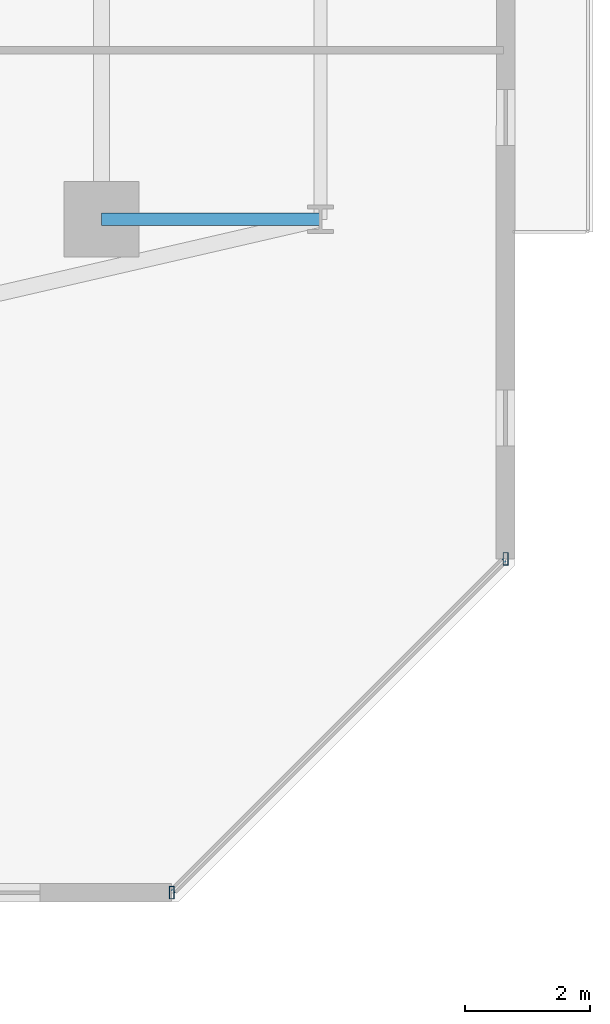
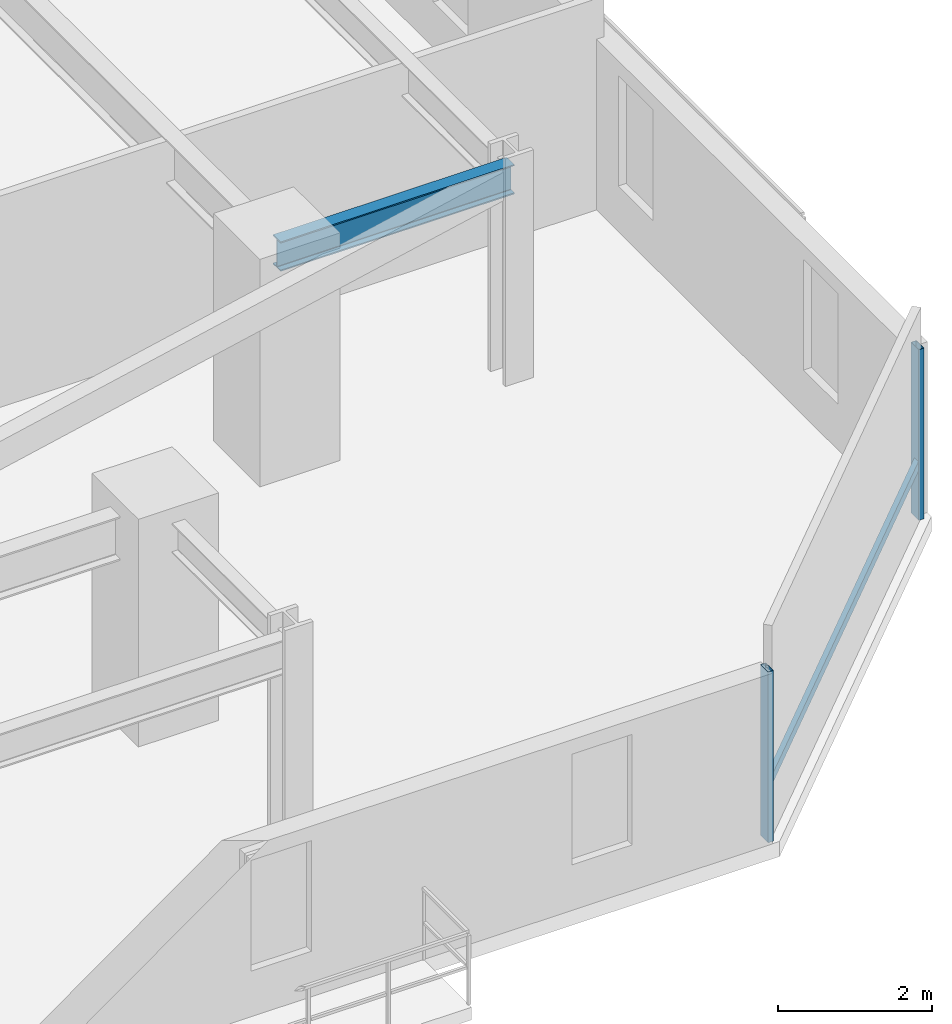
# One storey, part 12 of 33: 3 members, 1 beam, 1 element without a shape of its own.
"""IFC4 building model written with IfcOpenShell, lengths in metres."""

from ifc_helpers import new_model, si_unit, direction, frame, origin, origin_2d, place, context, subcontext, project, spatial, hollow_rectangle, i_section, extrude, material, material_profile, profile_set, type_object, element, aggregate, save


model = new_model("IFC4")

# Units and contexts
model_context = context("Model", 3, precision=1e-05, world=origin(), true_north=direction((0.0, 1.0)))
body_context = subcontext(model_context, "Body", "Model", "MODEL_VIEW")
ifc_project = project(units=[si_unit("LENGTHUNIT", "METRE"), si_unit("AREAUNIT", "SQUARE_METRE"), si_unit("VOLUMEUNIT", "CUBIC_METRE"), si_unit("PLANEANGLEUNIT", "RADIAN"), si_unit("MASSUNIT", "GRAM", prefix="KILO")], contexts=[model_context])

# Site, building, storey
site_placement = place(None, origin())
site = spatial("IfcSite", under=ifc_project, at=site_placement, CompositionType="ELEMENT")
building_placement = place(site_placement, origin())
building = spatial("IfcBuilding", under=site, at=building_placement, Name="Thornwick Lancets Civic Towers", CompositionType="ELEMENT")
storey_placement = place(building_placement, frame((0.0, 0.0, 130.5)))
storey = spatial("IfcBuildingStorey", under=building, at=storey_placement, Name="L34", CompositionType="ELEMENT", Elevation=130.5)

# Beam
ifc_material_1 = material(Name="Steel S355JR", Category="steel")
ifc_material_profile_1 = material_profile(ifc_material_1, i_section(OverallWidth=0.19287109375, OverallDepth=0.46728515625, WebThickness=0.011474609375, FlangeThickness=0.01953125, FilletRadius=0.01025390625, at=origin_2d()), Name="UKB 457x191x98")
ifc_profile_set_1 = profile_set([ifc_material_profile_1], Name="Steel S355JR")
beam_type = type_object("IfcBeamType", Name="BM_JOIST_457_98", PredefinedType="JOIST", material=ifc_profile_set_1)
beam_placement = place(storey_placement, frame((105.800048828125, 14.0, 3.12646484375), z_axis=(1.0, 0.0, 0.0), x_axis=(0.0, 1.0, 0.0)))
element("IfcBeam", 1, at=beam_placement, inside=storey, type_object=beam_type, Name="BM-RAD-L34-B01", PredefinedType="JOIST", context=body_context, shape_type="SweptSolid", body=[
    extrude(i_section(OverallWidth=0.19287109375, OverallDepth=0.46728515625, WebThickness=0.011474609375, FlangeThickness=0.01953125, FilletRadius=0.01025390625, at=origin_2d()), origin(), (0.0, 0.0, 1.0), 3.5),
])

# Curtain wall, members
ifc_material_2 = material(Name="Mid-zone chamfered-corner unitised glass curtain wall", Category="glass")
curtain_wall_type = type_object("IfcCurtainWallType", Name="CW_SYS_04", PredefinedType="NOTDEFINED", material=ifc_material_2)
curtain_wall_placement = place(storey_placement, origin())
curtain_wall = element("IfcCurtainWall", 2, at=curtain_wall_placement, inside=storey, type_object=curtain_wall_type, Name="L34 Curtain Wall CW-L34-B-E1", PredefinedType="NOTDEFINED")
ifc_material_3 = material(Name="Thermally broken bronze aluminium S355", Category="steel")
ifc_material_profile_2 = material_profile(ifc_material_3, hollow_rectangle(XDim=0.080078125, YDim=0.199951171875, WallThickness=0.006103515625, at=origin_2d()), Name="RHS 200x80x6")
ifc_profile_set_2 = profile_set([ifc_material_profile_2], Name="Thermally broken bronze aluminium S355")
member_type_1 = type_object("IfcMemberType", Name="CW_MUL_200", PredefinedType="MULLION", material=ifc_profile_set_2)
member_1_placement = place(storey_placement, frame((106.923583984375, 3.244384765625, 0.0), z_axis=(0.0, 0.0, 1.0), x_axis=(1.0, 0.0, 0.0)))
member_1 = element("IfcMember", 3, at=member_1_placement, type_object=member_type_1, Name="CW-L34-B-E1 Mullion 0", PredefinedType="MULLION", context=body_context, shape_type="SweptSolid", body=[
    extrude(hollow_rectangle(XDim=0.080078125, YDim=0.199951171875, WallThickness=0.006103515625, at=origin_2d()), origin(), (0.0, 0.0, 1.0), 2.699951171875),
])
member_2_placement = place(storey_placement, frame((112.255615234375, 8.576416015625, 0.0), z_axis=(0.0, 0.0, 1.0), x_axis=(1.0, 0.0, 0.0)))
member_2 = element("IfcMember", 4, at=member_2_placement, type_object=member_type_1, Name="CW-L34-B-E1 Mullion 1", PredefinedType="MULLION", context=body_context, shape_type="SweptSolid", body=[
    extrude(hollow_rectangle(XDim=0.080078125, YDim=0.199951171875, WallThickness=0.006103515625, at=origin_2d()), origin(), (0.0, 0.0, 1.0), 2.699951171875),
])
ifc_material_profile_3 = material_profile(ifc_material_3, hollow_rectangle(XDim=0.074951171875, YDim=0.14990234375, WallThickness=0.0048828125, at=origin_2d()), Name="RHS 150x75x5")
ifc_profile_set_3 = profile_set([ifc_material_profile_3], Name="Thermally broken bronze aluminium S355")
member_type_2 = type_object("IfcMemberType", Name="CW_TRN_150", PredefinedType="USERDEFINED", material=ifc_profile_set_3)
member_3_placement = place(storey_placement, frame((106.937744140625, 3.258544921875, 0.85009765625), z_axis=(0.707106781187, 0.707106781187, 0.0), x_axis=(-0.707106781187, 0.707106781187, 0.0)))
member_3 = element("IfcMember", 5, at=member_3_placement, type_object=member_type_2, Name="CW-L34-B-E1 Transom 0", ObjectType="TRANSOM", PredefinedType="USERDEFINED", context=body_context, shape_type="SweptSolid", body=[
    extrude(hollow_rectangle(XDim=0.074951171875, YDim=0.14990234375, WallThickness=0.0048828125, at=origin_2d()), origin(), (0.0, 0.0, 1.0), 7.50048828125),
])
aggregate(curtain_wall, [member_1, member_2, member_3])

save(model, "model.ifc")
